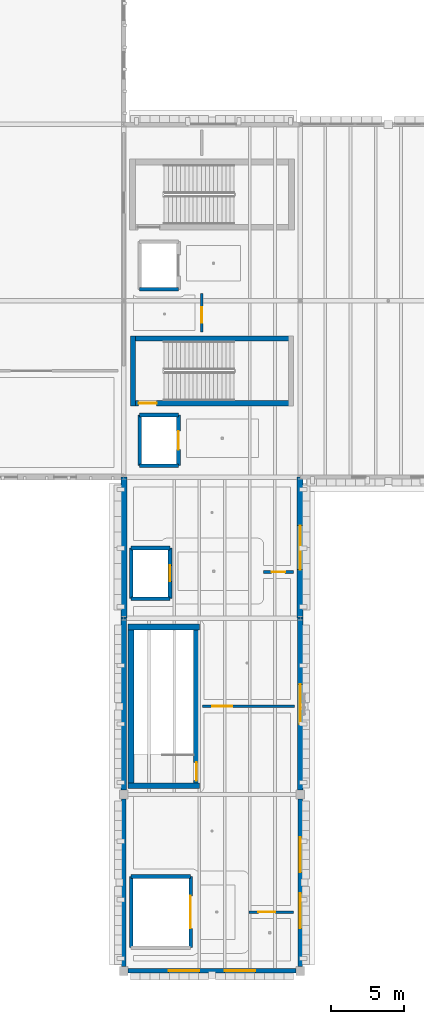
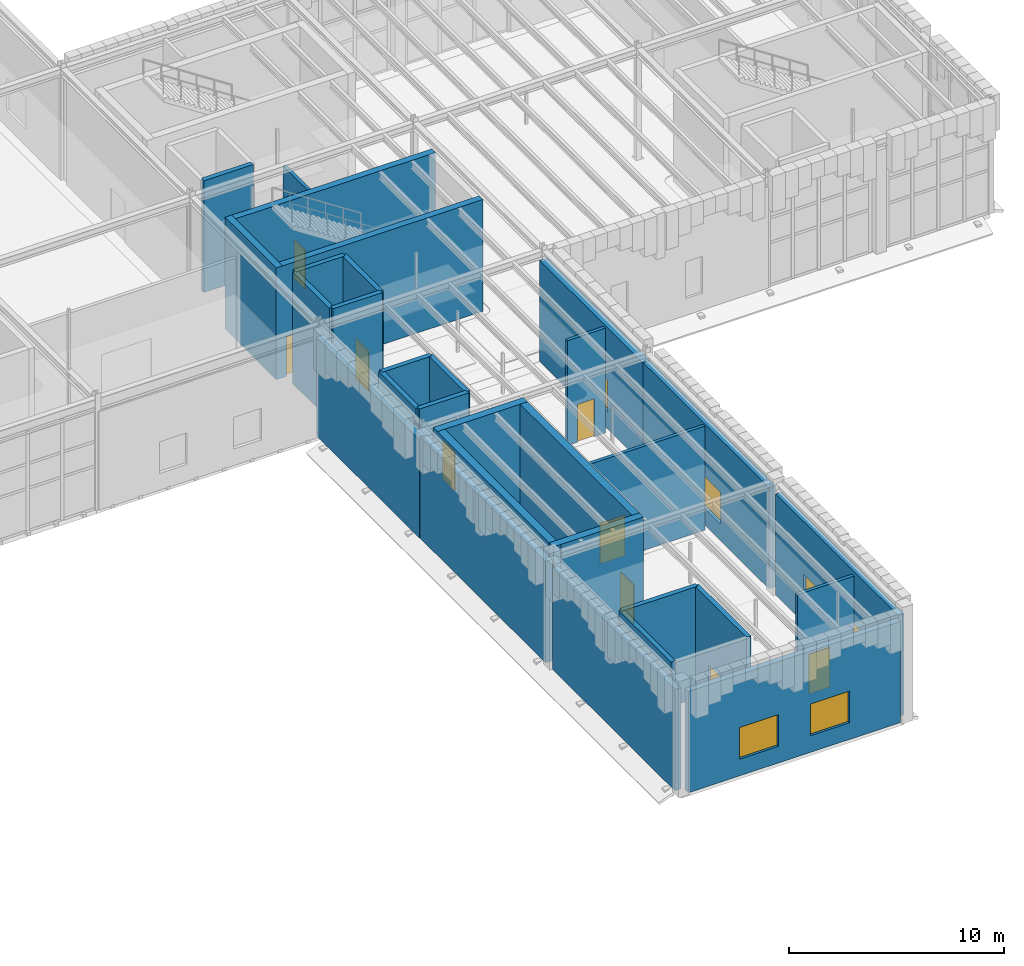
# One storey, part 41 of 62: 30 walls, 9 doors, 6 windows, 15 openings.
"""IFC4 building model written with IfcOpenShell, lengths in metres."""

from ifc_helpers import new_model, si_unit, direction, frame, frame_2d, origin, place, context, subcontext, project, spatial, rectangle, extrude, material, layer, layer_set, type_object, element, fill, save


model = new_model("IFC4")

# Units and contexts
model_context = context("Model", 3, precision=1e-05, world=origin(), true_north=direction((0.0, 1.0)))
body_context = subcontext(model_context, "Body", "Model", "MODEL_VIEW")
ifc_project = project(units=[si_unit("LENGTHUNIT", "METRE"), si_unit("AREAUNIT", "SQUARE_METRE"), si_unit("VOLUMEUNIT", "CUBIC_METRE"), si_unit("PLANEANGLEUNIT", "RADIAN"), si_unit("MASSUNIT", "GRAM", prefix="KILO")], contexts=[model_context])

# Site, building, storey
site_placement = place(None, origin())
site = spatial("IfcSite", under=ifc_project, at=site_placement, CompositionType="ELEMENT")
building_placement = place(site_placement, origin())
building = spatial("IfcBuilding", under=site, at=building_placement, Name="Zlatogorsky Bluff Art Gallery", CompositionType="ELEMENT")
storey_placement = place(building_placement, frame((0.0, 0.0, 16.800048828125)))
storey = spatial("IfcBuildingStorey", under=building, at=storey_placement, Name="L03", CompositionType="ELEMENT", Elevation=16.800048828125)

# Wall
ifc_material_1 = material(Name="Precast concrete C40/50", Category="concrete")
ifc_layer_1 = layer(ifc_material_1, 0.360107421875)
ifc_layer_set_1 = layer_set([ifc_layer_1], Name="Exterior Wall EW-01 360mm")
wall_type_1 = type_object("IfcWallType", Name="Exterior Wall EW-01 360mm", PredefinedType="SOLIDWALL", material=ifc_layer_set_1)
wall_1_placement = place(storey_placement, frame((120.0, 74.39990234375, 0.0), z_axis=(0.0, 0.0, 1.0), x_axis=(0.0, -1.0, 0.0)))
element("IfcWall", 1, at=wall_1_placement, inside=storey, type_object=wall_type_1, Name="Exterior wall EW-01 L03 W 10.6", PredefinedType="SOLIDWALL", context=body_context, shape_type="SweptSolid", body=[
    extrude(rectangle(XDim=11.704833984375, YDim=0.360107421875, at=frame_2d((5.8525390625, 0.0))), origin(), (0.0, 0.0, 1.0), 5.75),
])

# Wall, opening, window
wall_2_placement = place(storey_placement, frame((132.0, 62.695068359375, 0.0), z_axis=(0.0, 0.0, 1.0), x_axis=(0.0, 1.0, 0.0)))
wall_2 = element("IfcWall", 2, at=wall_2_placement, inside=storey, type_object=wall_type_1, Name="Exterior wall EW-01 L03 E 10.6", PredefinedType="SOLIDWALL", context=body_context, shape_type="SweptSolid", body=[
    extrude(rectangle(XDim=11.704833984375, YDim=0.360107421875, at=frame_2d((5.8525390625, 0.0))), origin(), (0.0, 0.0, 1.0), 5.75),
])
opening_1_placement = place(wall_2_placement, frame((4.5029296875, 0.0, 0.949951171875)))
opening_1 = element("IfcOpeningElement", 3, at=opening_1_placement, cuts=wall_2, Name="Opening WN-22", PredefinedType="OPENING", context=body_context, shape_type="SweptSolid", body=[
    extrude(rectangle(XDim=2.699951171875, YDim=1.800048828125, at=frame_2d((1.35009765625, 0.89990234375))), frame((0.0, 0.18994140625, 0.0), z_axis=(0.0, -1.0, 0.0), x_axis=(1.0, 0.0, 0.0)), (0.0, 0.0, 1.0), 0.380126953125),
])
ifc_material_2 = material(Name="Bronze-Anodised Aluminium Triple Glazing", Category="aluminium")
window_type_1 = type_object("IfcWindowType", Name="Pointed-Reveal Window WN-22 2700x1800", PartitioningType="SINGLE_PANEL", PredefinedType="WINDOW", material=ifc_material_2)
window_1_placement = place(opening_1_placement, origin())
window_1 = element("IfcWindow", 4, at=window_1_placement, inside=storey, type_object=window_type_1, Name="Window WN-22 L03.E.10.6.1", OverallHeight=1.800048828125, OverallWidth=2.699951171875, PartitioningType="SINGLE_PANEL", PredefinedType="WINDOW", context=body_context, shape_type="SweptSolid", body=[
    extrude(rectangle(XDim=2.699951171875, YDim=1.800048828125, at=frame_2d((1.35009765625, 0.89990234375))), frame((0.0, 0.030029296875, 0.0), z_axis=(0.0, -1.0, 0.0), x_axis=(1.0, 0.0, 0.0)), (0.0, 0.0, 1.0), 0.06005859375),
])
fill(opening_1, window_1)

# Wall
ifc_layer_2 = layer(ifc_material_1, 0.39990234375)
ifc_layer_set_2 = layer_set([ifc_layer_2], Name="Exterior Wall EW-02 400mm")
wall_type_2 = type_object("IfcWallType", Name="Exterior Wall EW-02 400mm", PredefinedType="SOLIDWALL", material=ifc_layer_set_2)
wall_3_placement = place(storey_placement, frame((120.0, 84.0, 0.0), z_axis=(0.0, 0.0, 1.0), x_axis=(0.0, -1.0, 0.0)))
element("IfcWall", 5, at=wall_3_placement, inside=storey, type_object=wall_type_2, Name="Exterior wall EW-02 L03 W 10.7", PredefinedType="SOLIDWALL", context=body_context, shape_type="SweptSolid", body=[
    extrude(rectangle(XDim=9.60009765625, YDim=0.39990234375, at=frame_2d((4.800048828125, 0.0))), origin(), (0.0, 0.0, 1.0), 5.599853515625),
])

# Wall, opening, window
wall_4_placement = place(storey_placement, frame((132.0, 74.39990234375, 0.0), z_axis=(0.0, 0.0, 1.0), x_axis=(0.0, 1.0, 0.0)))
wall_4 = element("IfcWall", 6, at=wall_4_placement, inside=storey, type_object=wall_type_2, Name="Exterior wall EW-02 L03 E 10.7", PredefinedType="SOLIDWALL", context=body_context, shape_type="SweptSolid", body=[
    extrude(rectangle(XDim=9.60009765625, YDim=0.39990234375, at=frame_2d((4.800048828125, 0.0))), origin(), (0.0, 0.0, 1.0), 5.75),
])
opening_2_placement = place(wall_4_placement, frame((3.300048828125, 0.0, 0.949951171875)))
opening_2 = element("IfcOpeningElement", 7, at=opening_2_placement, cuts=wall_4, Name="Opening WN-23", PredefinedType="OPENING", context=body_context, shape_type="SweptSolid", body=[
    extrude(rectangle(XDim=3.0, YDim=1.800048828125, at=frame_2d((1.5, 0.89990234375))), frame((0.0, 0.2099609375, 0.0), z_axis=(0.0, -1.0, 0.0), x_axis=(1.0, 0.0, 0.0)), (0.0, 0.0, 1.0), 0.419921875),
])
window_type_2 = type_object("IfcWindowType", Name="Pointed-Reveal Window WN-23 3000x1800", PartitioningType="SINGLE_PANEL", PredefinedType="WINDOW", material=ifc_material_2)
window_2_placement = place(opening_2_placement, origin())
window_2 = element("IfcWindow", 8, at=window_2_placement, inside=storey, type_object=window_type_2, Name="Window WN-23 L03.E.10.7.1", OverallHeight=1.800048828125, OverallWidth=3.0, PartitioningType="SINGLE_PANEL", PredefinedType="WINDOW", context=body_context, shape_type="SweptSolid", body=[
    extrude(rectangle(XDim=3.0, YDim=1.800048828125, at=frame_2d((1.5, 0.89990234375))), frame((0.0, 0.030029296875, 0.0), z_axis=(0.0, -1.0, 0.0), x_axis=(1.0, 0.0, 0.0)), (0.0, 0.0, 1.0), 0.06005859375),
])
fill(opening_2, window_2)

# Wall, openings, windows
ifc_layer_3 = layer(ifc_material_1, 0.320068359375)
ifc_layer_set_3 = layer_set([ifc_layer_3], Name="Exterior Wall EW-04 320mm")
wall_type_3 = type_object("IfcWallType", Name="Exterior Wall EW-04 320mm", PredefinedType="SOLIDWALL", material=ifc_layer_set_3)
wall_5_placement = place(storey_placement, frame((120.294921875, 50.39990234375, 0.0), z_axis=(0.0, 0.0, 1.0), x_axis=(1.0, 0.0, 0.0)))
wall_5 = element("IfcWall", 9, at=wall_5_placement, inside=storey, type_object=wall_type_3, Name="Exterior wall EW-04 L03 S 10.5", PredefinedType="SOLIDWALL", context=body_context, shape_type="SweptSolid", body=[
    extrude(rectangle(XDim=11.41015625, YDim=0.320068359375, at=frame_2d((5.705078125, 0.0))), origin(), (0.0, 0.0, 1.0), 5.75),
])
opening_3_placement = place(wall_5_placement, frame((2.7529296875, 0.0, 0.949951171875)))
opening_3 = element("IfcOpeningElement", 10, at=opening_3_placement, cuts=wall_5, Name="Opening WN-20", PredefinedType="OPENING", context=body_context, shape_type="SweptSolid", body=[
    extrude(rectangle(XDim=2.10009765625, YDim=1.800048828125, at=frame_2d((1.050048828125, 0.89990234375))), frame((0.0, 0.169921875, 0.0), z_axis=(0.0, -1.0, 0.0), x_axis=(1.0, 0.0, 0.0)), (0.0, 0.0, 1.0), 0.340087890625),
])
opening_4_placement = place(wall_5_placement, frame((6.556884765625, 0.0, 0.949951171875)))
opening_4 = element("IfcOpeningElement", 11, at=opening_4_placement, cuts=wall_5, Name="Opening WN-20", PredefinedType="OPENING", context=body_context, shape_type="SweptSolid", body=[
    extrude(rectangle(XDim=2.10009765625, YDim=1.800048828125, at=frame_2d((1.050048828125, 0.89990234375))), frame((0.0, 0.169921875, 0.0), z_axis=(0.0, -1.0, 0.0), x_axis=(1.0, 0.0, 0.0)), (0.0, 0.0, 1.0), 0.340087890625),
])
window_type_3 = type_object("IfcWindowType", Name="Pointed-Reveal Window WN-20 2100x1800", PartitioningType="SINGLE_PANEL", PredefinedType="WINDOW", material=ifc_material_2)
window_3_placement = place(opening_3_placement, origin())
window_3 = element("IfcWindow", 12, at=window_3_placement, inside=storey, type_object=window_type_3, Name="Window WN-20 L03.S.10.5.1", OverallHeight=1.800048828125, OverallWidth=2.10009765625, PartitioningType="SINGLE_PANEL", PredefinedType="WINDOW", context=body_context, shape_type="SweptSolid", body=[
    extrude(rectangle(XDim=2.10009765625, YDim=1.800048828125, at=frame_2d((1.050048828125, 0.89990234375))), frame((0.0, 0.030029296875, 0.0), z_axis=(0.0, -1.0, 0.0), x_axis=(1.0, 0.0, 0.0)), (0.0, 0.0, 1.0), 0.06005859375),
])
fill(opening_3, window_3)
window_4_placement = place(opening_4_placement, origin())
window_4 = element("IfcWindow", 13, at=window_4_placement, inside=storey, type_object=window_type_3, Name="Window WN-20 L03.S.10.5.2", OverallHeight=1.800048828125, OverallWidth=2.10009765625, PartitioningType="SINGLE_PANEL", PredefinedType="WINDOW", context=body_context, shape_type="SweptSolid", body=[
    extrude(rectangle(XDim=2.10009765625, YDim=1.800048828125, at=frame_2d((1.050048828125, 0.89990234375))), frame((0.0, 0.030029296875, 0.0), z_axis=(0.0, -1.0, 0.0), x_axis=(1.0, 0.0, 0.0)), (0.0, 0.0, 1.0), 0.06005859375),
])
fill(opening_4, window_4)

# Wall
wall_6_placement = place(storey_placement, frame((120.0, 62.10498046875, 0.0), z_axis=(0.0, 0.0, 1.0), x_axis=(0.0, -1.0, 0.0)))
element("IfcWall", 14, at=wall_6_placement, inside=storey, type_object=wall_type_3, Name="Exterior wall EW-04 L03 W 10.5", PredefinedType="SOLIDWALL", context=body_context, shape_type="SweptSolid", body=[
    extrude(rectangle(XDim=11.409912109375, YDim=0.320068359375, at=frame_2d((5.705078125, 0.0))), origin(), (0.0, 0.0, 1.0), 5.75),
])

# Wall, openings, windows
wall_7_placement = place(storey_placement, frame((132.0, 50.695068359375, 0.0), z_axis=(0.0, 0.0, 1.0), x_axis=(0.0, 1.0, 0.0)))
wall_7 = element("IfcWall", 15, at=wall_7_placement, inside=storey, type_object=wall_type_3, Name="Exterior wall EW-04 L03 E 10.5", PredefinedType="SOLIDWALL", context=body_context, shape_type="SweptSolid", body=[
    extrude(rectangle(XDim=11.409912109375, YDim=0.320068359375, at=frame_2d((5.705078125, 0.0))), origin(), (0.0, 0.0, 1.0), 5.75),
])
opening_5_placement = place(wall_7_placement, frame((2.60302734375, 0.0, 0.949951171875)))
opening_5 = element("IfcOpeningElement", 16, at=opening_5_placement, cuts=wall_7, Name="Opening WN-21", PredefinedType="OPENING", context=body_context, shape_type="SweptSolid", body=[
    extrude(rectangle(XDim=2.39990234375, YDim=1.800048828125, at=frame_2d((1.199951171875, 0.89990234375))), frame((0.0, 0.169921875, 0.0), z_axis=(0.0, -1.0, 0.0), x_axis=(1.0, 0.0, 0.0)), (0.0, 0.0, 1.0), 0.340087890625),
])
opening_6_placement = place(wall_7_placement, frame((6.406982421875, 0.0, 0.949951171875)))
opening_6 = element("IfcOpeningElement", 17, at=opening_6_placement, cuts=wall_7, Name="Opening WN-21", PredefinedType="OPENING", context=body_context, shape_type="SweptSolid", body=[
    extrude(rectangle(XDim=2.39990234375, YDim=1.800048828125, at=frame_2d((1.199951171875, 0.89990234375))), frame((0.0, 0.169921875, 0.0), z_axis=(0.0, -1.0, 0.0), x_axis=(1.0, 0.0, 0.0)), (0.0, 0.0, 1.0), 0.340087890625),
])
window_type_4 = type_object("IfcWindowType", Name="Pointed-Reveal Window WN-21 2400x1800", PartitioningType="SINGLE_PANEL", PredefinedType="WINDOW", material=ifc_material_2)
window_5_placement = place(opening_5_placement, origin())
window_5 = element("IfcWindow", 18, at=window_5_placement, inside=storey, type_object=window_type_4, Name="Window WN-21 L03.E.10.5.1", OverallHeight=1.800048828125, OverallWidth=2.39990234375, PartitioningType="SINGLE_PANEL", PredefinedType="WINDOW", context=body_context, shape_type="SweptSolid", body=[
    extrude(rectangle(XDim=2.39990234375, YDim=1.800048828125, at=frame_2d((1.199951171875, 0.89990234375))), frame((0.0, 0.030029296875, 0.0), z_axis=(0.0, -1.0, 0.0), x_axis=(1.0, 0.0, 0.0)), (0.0, 0.0, 1.0), 0.06005859375),
])
fill(opening_5, window_5)
window_6_placement = place(opening_6_placement, origin())
window_6 = element("IfcWindow", 19, at=window_6_placement, inside=storey, type_object=window_type_4, Name="Window WN-21 L03.E.10.5.2", OverallHeight=1.800048828125, OverallWidth=2.39990234375, PartitioningType="SINGLE_PANEL", PredefinedType="WINDOW", context=body_context, shape_type="SweptSolid", body=[
    extrude(rectangle(XDim=2.39990234375, YDim=1.800048828125, at=frame_2d((1.199951171875, 0.89990234375))), frame((0.0, 0.030029296875, 0.0), z_axis=(0.0, -1.0, 0.0), x_axis=(1.0, 0.0, 0.0)), (0.0, 0.0, 1.0), 0.06005859375),
])
fill(opening_6, window_6)

# Wall, opening, door
ifc_material_3 = material(Name="Concrete C30/37", Category="concrete")
ifc_layer_4 = layer(ifc_material_3, 0.179931640625)
ifc_layer_set_4 = layer_set([ifc_layer_4], Name="Interior Wall IW-02 180mm")
wall_type_4 = type_object("IfcWallType", Name="Interior Wall IW-02 180mm", PredefinedType="PARTITIONING", material=ifc_layer_set_4)
wall_8_placement = place(storey_placement, frame((128.510009765625, 54.39990234375, 0.0), z_axis=(0.0, 0.0, 1.0), x_axis=(1.0, 0.0, 0.0)))
wall_8 = element("IfcWall", 20, at=wall_8_placement, inside=storey, type_object=wall_type_4, Name="Partition IW-02 between L03-RD-11 and L03-RD-12", PredefinedType="PARTITIONING", context=body_context, shape_type="SweptSolid", body=[
    extrude(rectangle(XDim=3.0400390625, YDim=0.179931640625, at=frame_2d((1.52001953125, 0.0))), origin(), (0.0, 0.0, 1.0), 5.909912109375),
])
opening_7_placement = place(wall_8_placement, frame((0.64990234375, 0.0, 0.0)))
opening_7 = element("IfcOpeningElement", 21, at=opening_7_placement, cuts=wall_8, Name="Opening ID-06", PredefinedType="OPENING", context=body_context, shape_type="SweptSolid", body=[
    extrude(rectangle(XDim=1.14990234375, YDim=2.25, at=frame_2d((0.574951171875, 1.125))), frame((0.0, 0.099853515625, 0.0), z_axis=(0.0, -1.0, 0.0), x_axis=(1.0, 0.0, 0.0)), (0.0, 0.0, 1.0), 0.199951171875),
])
ifc_material_4 = material(Name="Anodised Aluminium and Laminated Timber", Category="wood")
door_type_1 = type_object("IfcDoorType", Name="Interior Door ID-06 1150x2250", OperationType="SINGLE_SWING_LEFT", PredefinedType="DOOR", material=ifc_material_4)
door_1_placement = place(opening_7_placement, origin())
door_1 = element("IfcDoor", 22, at=door_1_placement, inside=storey, type_object=door_type_1, Name="Door ID-06 L03-RD-11-L03-RD-12", OperationType="SINGLE_SWING_RIGHT", OverallHeight=2.25, OverallWidth=1.14990234375, PredefinedType="DOOR", context=body_context, shape_type="SweptSolid", body=[
    extrude(rectangle(XDim=1.14990234375, YDim=2.25, at=frame_2d((0.574951171875, 1.125))), frame((0.0, 0.02490234375, 0.0), z_axis=(0.0, -1.0, 0.0), x_axis=(1.0, 0.0, 0.0)), (0.0, 0.0, 1.0), 0.050048828125),
])
fill(opening_7, door_1)

wall_9_placement = place(storey_placement, frame((125.3701171875, 68.39990234375, 0.0), z_axis=(0.0, 0.0, 1.0), x_axis=(1.0, 0.0, 0.0)))
wall_9 = element("IfcWall", 23, at=wall_9_placement, inside=storey, type_object=wall_type_4, Name="Partition IW-02 between L03-RD-12 and L03-RD-13", PredefinedType="PARTITIONING", context=body_context, shape_type="SweptSolid", body=[
    extrude(rectangle(XDim=6.25, YDim=0.179931640625, at=frame_2d((3.125, 0.0))), origin(), (0.0, 0.0, 1.0), 5.909912109375),
])
opening_8_placement = place(wall_9_placement, frame((0.64990234375, 0.0, 0.0)))
opening_8 = element("IfcOpeningElement", 24, at=opening_8_placement, cuts=wall_9, Name="Opening ID-08", PredefinedType="OPENING", context=body_context, shape_type="SweptSolid", body=[
    extrude(rectangle(XDim=1.35009765625, YDim=2.300048828125, at=frame_2d((0.675048828125, 1.14990234375))), frame((0.0, 0.099853515625, 0.0), z_axis=(0.0, -1.0, 0.0), x_axis=(1.0, 0.0, 0.0)), (0.0, 0.0, 1.0), 0.199951171875),
])
door_type_2 = type_object("IfcDoorType", Name="Interior Door ID-08 1350x2300", OperationType="DOUBLE_SWING_LEFT", PredefinedType="DOOR", material=ifc_material_4)
door_2_placement = place(opening_8_placement, origin())
door_2 = element("IfcDoor", 25, at=door_2_placement, inside=storey, type_object=door_type_2, Name="Door ID-08 L03-RD-12-L03-RD-13", OperationType="DOUBLE_SWING_LEFT", OverallHeight=2.300048828125, OverallWidth=1.35009765625, PredefinedType="DOOR", context=body_context, shape_type="SweptSolid", body=[
    extrude(rectangle(XDim=1.35009765625, YDim=2.300048828125, at=frame_2d((0.675048828125, 1.14990234375))), frame((0.0, 0.02490234375, 0.0), z_axis=(0.0, -1.0, 0.0), x_axis=(1.0, 0.0, 0.0)), (0.0, 0.0, 1.0), 0.050048828125),
])
fill(opening_8, door_2)

wall_10_placement = place(storey_placement, frame((129.510009765625, 77.544921875, 0.0), z_axis=(0.0, 0.0, 1.0), x_axis=(1.0, 0.0, 0.0)))
wall_10 = element("IfcWall", 26, at=wall_10_placement, inside=storey, type_object=wall_type_4, Name="Partition IW-02 between L03-RD-13 and L03-RD-14", PredefinedType="PARTITIONING", context=body_context, shape_type="SweptSolid", body=[
    extrude(rectangle(XDim=2.0400390625, YDim=0.179931640625, at=frame_2d((1.02001953125, 0.0))), origin(), (0.0, 0.0, 1.0), 5.949951171875),
])
opening_9_placement = place(wall_10_placement, frame((0.5400390625, 0.0, 0.0)))
opening_9 = element("IfcOpeningElement", 27, at=opening_9_placement, cuts=wall_10, Name="Opening ID-01", PredefinedType="OPENING", context=body_context, shape_type="SweptSolid", body=[
    extrude(rectangle(XDim=0.919921875, YDim=2.14990234375, at=frame_2d((0.4599609375, 1.074951171875))), frame((0.0, 0.099853515625, 0.0), z_axis=(0.0, -1.0, 0.0), x_axis=(1.0, 0.0, 0.0)), (0.0, 0.0, 1.0), 0.199951171875),
])
door_type_3 = type_object("IfcDoorType", Name="Interior Door ID-01 920x2150", OperationType="SINGLE_SWING_LEFT", PredefinedType="DOOR", material=ifc_material_4)
door_3_placement = place(opening_9_placement, origin())
door_3 = element("IfcDoor", 28, at=door_3_placement, inside=storey, type_object=door_type_3, Name="Door ID-01 L03-RD-13-L03-RD-14", OperationType="SINGLE_SWING_LEFT", OverallHeight=2.14990234375, OverallWidth=0.919921875, PredefinedType="DOOR", context=body_context, shape_type="SweptSolid", body=[
    extrude(rectangle(XDim=0.919921875, YDim=2.14990234375, at=frame_2d((0.4599609375, 1.074951171875))), frame((0.0, 0.02490234375, 0.0), z_axis=(0.0, -1.0, 0.0), x_axis=(1.0, 0.0, 0.0)), (0.0, 0.0, 1.0), 0.050048828125),
])
fill(opening_9, door_3)

wall_11_placement = place(storey_placement, frame((125.304931640625, 93.8701171875, 0.0), z_axis=(0.0, 0.0, 1.0), x_axis=(0.0, 1.0, 0.0)))
wall_11 = element("IfcWall", 29, at=wall_11_placement, inside=storey, type_object=wall_type_4, Name="Partition IW-02 between L03-CU-11 and L03-CU-12-S1", PredefinedType="PARTITIONING", context=body_context, shape_type="SweptSolid", body=[
    extrude(rectangle(XDim=2.60986328125, YDim=0.179931640625, at=frame_2d((1.304931640625, 0.0))), origin(), (0.0, 0.0, 1.0), 5.869873046875),
])
opening_10_placement = place(wall_11_placement, frame((0.64990234375, 0.0, 0.0)))
opening_10 = element("IfcOpeningElement", 30, at=opening_10_placement, cuts=wall_11, Name="Opening ID-04", PredefinedType="OPENING", context=body_context, shape_type="SweptSolid", body=[
    extrude(rectangle(XDim=1.050048828125, YDim=2.199951171875, at=frame_2d((0.52490234375, 1.10009765625))), frame((0.0, 0.099853515625, 0.0), z_axis=(0.0, -1.0, 0.0), x_axis=(1.0, 0.0, 0.0)), (0.0, 0.0, 1.0), 0.199951171875),
])
door_type_4 = type_object("IfcDoorType", Name="Interior Door ID-04 1050x2200", OperationType="SINGLE_SWING_LEFT", PredefinedType="DOOR", material=ifc_material_4)
door_4_placement = place(opening_10_placement, origin())
door_4 = element("IfcDoor", 31, at=door_4_placement, inside=storey, type_object=door_type_4, Name="Door ID-04 L03-CU-11-L03-CU-12-S1", OperationType="SINGLE_SWING_RIGHT", OverallHeight=2.199951171875, OverallWidth=1.050048828125, PredefinedType="DOOR", context=body_context, shape_type="SweptSolid", body=[
    extrude(rectangle(XDim=1.050048828125, YDim=2.199951171875, at=frame_2d((0.52490234375, 1.10009765625))), frame((0.0, 0.02490234375, 0.0), z_axis=(0.0, -1.0, 0.0), x_axis=(1.0, 0.0, 0.0)), (0.0, 0.0, 1.0), 0.050048828125),
])
fill(opening_10, door_4)

# Wall
ifc_material_5 = material(Name="Concrete C35/45", Category="concrete")
ifc_layer_5 = layer(ifc_material_5, 0.25)
ifc_layer_set_5 = layer_set([ifc_layer_5], Name="Interior Wall IW-05 250mm")
wall_type_5 = type_object("IfcWallType", Name="Interior Wall IW-05 250mm", PredefinedType="SOLIDWALL", material=ifc_layer_set_5)
wall_12_placement = place(storey_placement, frame((120.4951171875, 75.72509765625, 0.0), z_axis=(0.0, 0.0, 1.0), x_axis=(1.0, 0.0, 0.0)))
element("IfcWall", 32, at=wall_12_placement, inside=storey, type_object=wall_type_5, Name="Lift FL-1 shaft wall L03 S", PredefinedType="SOLIDWALL", context=body_context, shape_type="SweptSolid", body=[
    extrude(rectangle(XDim=2.64990234375, YDim=0.25, at=frame_2d((1.324951171875, 0.0))), origin(), (0.0, 0.0, 1.0), 6.349853515625),
])

# Wall, opening, door
wall_13_placement = place(storey_placement, frame((123.14501953125, 75.72509765625, 0.0), z_axis=(0.0, 0.0, 1.0), x_axis=(0.0, 1.0, 0.0)))
wall_13 = element("IfcWall", 33, at=wall_13_placement, inside=storey, type_object=wall_type_5, Name="Lift FL-1 shaft wall L03 E", PredefinedType="SOLIDWALL", context=body_context, shape_type="SweptSolid", body=[
    extrude(rectangle(XDim=3.449951171875, YDim=0.25, at=frame_2d((1.72509765625, 0.0))), origin(), (0.0, 0.0, 1.0), 6.349853515625),
])
opening_11_placement = place(wall_13_placement, frame((1.175048828125, 0.0, 0.0)))
opening_11 = element("IfcOpeningElement", 34, at=opening_11_placement, cuts=wall_13, Name="Opening LD-01", PredefinedType="OPENING", context=body_context, shape_type="SweptSolid", body=[
    extrude(rectangle(XDim=1.10009765625, YDim=2.199951171875, at=frame_2d((0.550048828125, 1.10009765625))), frame((0.0, 0.135009765625, 0.0), z_axis=(0.0, -1.0, 0.0), x_axis=(1.0, 0.0, 0.0)), (0.0, 0.0, 1.0), 0.27001953125),
])
door_type_5 = type_object("IfcDoorType", Name="Interior Door LD-01 1100x2200", OperationType="SLIDING_TO_LEFT", PredefinedType="DOOR", material=ifc_material_4)
door_5_placement = place(opening_11_placement, origin())
door_5 = element("IfcDoor", 35, at=door_5_placement, inside=storey, type_object=door_type_5, Name="Lift FL-1 sliding landing door L03", OperationType="SLIDING_TO_LEFT", OverallHeight=2.199951171875, OverallWidth=1.10009765625, PredefinedType="DOOR", context=body_context, shape_type="SweptSolid", body=[
    extrude(rectangle(XDim=1.10009765625, YDim=2.199951171875, at=frame_2d((0.550048828125, 1.10009765625))), frame((0.0, 0.02490234375, 0.0), z_axis=(0.0, -1.0, 0.0), x_axis=(1.0, 0.0, 0.0)), (0.0, 0.0, 1.0), 0.050048828125),
])
fill(opening_11, door_5)

# Walls
wall_14_placement = place(storey_placement, frame((123.14501953125, 79.175048828125, 0.0), z_axis=(0.0, 0.0, 1.0), x_axis=(-1.0, 0.0, 0.0)))
element("IfcWall", 36, at=wall_14_placement, inside=storey, type_object=wall_type_5, Name="Lift FL-1 shaft wall L03 N", PredefinedType="SOLIDWALL", context=body_context, shape_type="SweptSolid", body=[
    extrude(rectangle(XDim=2.64990234375, YDim=0.25, at=frame_2d((1.324951171875, 0.0))), origin(), (0.0, 0.0, 1.0), 6.349853515625),
])
wall_15_placement = place(storey_placement, frame((120.4951171875, 79.175048828125, 0.0), z_axis=(0.0, 0.0, 1.0), x_axis=(0.0, -1.0, 0.0)))
element("IfcWall", 37, at=wall_15_placement, inside=storey, type_object=wall_type_5, Name="Lift FL-1 shaft wall L03 W", PredefinedType="SOLIDWALL", context=body_context, shape_type="SweptSolid", body=[
    extrude(rectangle(XDim=3.449951171875, YDim=0.25, at=frame_2d((1.72509765625, 0.0))), origin(), (0.0, 0.0, 1.0), 6.349853515625),
])
wall_16_placement = place(storey_placement, frame((121.074951171875, 84.77490234375, 0.0), z_axis=(0.0, 0.0, 1.0), x_axis=(1.0, 0.0, 0.0)))
element("IfcWall", 38, at=wall_16_placement, inside=storey, type_object=wall_type_5, Name="Lift FL-2 shaft wall L03 S", PredefinedType="SOLIDWALL", context=body_context, shape_type="SweptSolid", body=[
    extrude(rectangle(XDim=2.650146484375, YDim=0.25, at=frame_2d((1.3251953125, 0.0))), origin(), (0.0, 0.0, 1.0), 6.349853515625),
])

# Wall, opening, door
wall_17_placement = place(storey_placement, frame((123.72509765625, 84.77490234375, 0.0), z_axis=(0.0, 0.0, 1.0), x_axis=(0.0, 1.0, 0.0)))
wall_17 = element("IfcWall", 39, at=wall_17_placement, inside=storey, type_object=wall_type_5, Name="Lift FL-2 shaft wall L03 E", PredefinedType="SOLIDWALL", context=body_context, shape_type="SweptSolid", body=[
    extrude(rectangle(XDim=3.4501953125, YDim=0.25, at=frame_2d((1.72509765625, 0.0))), origin(), (0.0, 0.0, 1.0), 6.349853515625),
])
opening_12_placement = place(wall_17_placement, frame((1.10009765625, 0.0, 0.0)))
opening_12 = element("IfcOpeningElement", 40, at=opening_12_placement, cuts=wall_17, Name="Opening LD-02", PredefinedType="OPENING", context=body_context, shape_type="SweptSolid", body=[
    extrude(rectangle(XDim=1.25, YDim=2.25, at=frame_2d((0.625, 1.125))), frame((0.0, 0.135009765625, 0.0), z_axis=(0.0, -1.0, 0.0), x_axis=(1.0, 0.0, 0.0)), (0.0, 0.0, 1.0), 0.27001953125),
])
door_type_6 = type_object("IfcDoorType", Name="Interior Door LD-02 1250x2250", OperationType="SLIDING_TO_LEFT", PredefinedType="DOOR", material=ifc_material_4)
door_6_placement = place(opening_12_placement, origin())
door_6 = element("IfcDoor", 41, at=door_6_placement, inside=storey, type_object=door_type_6, Name="Lift FL-2 sliding landing door L03", OperationType="SLIDING_TO_LEFT", OverallHeight=2.25, OverallWidth=1.25, PredefinedType="DOOR", context=body_context, shape_type="SweptSolid", body=[
    extrude(rectangle(XDim=1.25, YDim=2.25, at=frame_2d((0.625, 1.125))), frame((0.0, 0.02490234375, 0.0), z_axis=(0.0, -1.0, 0.0), x_axis=(1.0, 0.0, 0.0)), (0.0, 0.0, 1.0), 0.050048828125),
])
fill(opening_12, door_6)

# Walls
wall_18_placement = place(storey_placement, frame((123.72509765625, 88.22509765625, 0.0), z_axis=(0.0, 0.0, 1.0), x_axis=(-1.0, 0.0, 0.0)))
element("IfcWall", 42, at=wall_18_placement, inside=storey, type_object=wall_type_5, Name="Lift FL-2 shaft wall L03 N", PredefinedType="SOLIDWALL", context=body_context, shape_type="SweptSolid", body=[
    extrude(rectangle(XDim=2.650146484375, YDim=0.25, at=frame_2d((1.3251953125, 0.0))), origin(), (0.0, 0.0, 1.0), 6.349853515625),
])
wall_19_placement = place(storey_placement, frame((121.074951171875, 88.22509765625, 0.0), z_axis=(0.0, 0.0, 1.0), x_axis=(0.0, -1.0, 0.0)))
element("IfcWall", 43, at=wall_19_placement, inside=storey, type_object=wall_type_5, Name="Lift FL-2 shaft wall L03 W", PredefinedType="SOLIDWALL", context=body_context, shape_type="SweptSolid", body=[
    extrude(rectangle(XDim=3.4501953125, YDim=0.25, at=frame_2d((1.72509765625, 0.0))), origin(), (0.0, 0.0, 1.0), 6.349853515625),
])
wall_20_placement = place(storey_placement, frame((121.074951171875, 96.77490234375, 0.0), z_axis=(0.0, 0.0, 1.0), x_axis=(1.0, 0.0, 0.0)))
element("IfcWall", 44, at=wall_20_placement, inside=storey, type_object=wall_type_5, Name="Lift PL-1 shaft wall L03 S", PredefinedType="SOLIDWALL", context=body_context, shape_type="SweptSolid", body=[
    extrude(rectangle(XDim=2.650146484375, YDim=0.25, at=frame_2d((1.3251953125, 0.0))), origin(), (0.0, 0.0, 1.0), 6.349853515625),
])

# Wall, opening, door
wall_21_placement = place(storey_placement, frame((124.544921875, 51.97509765625, 0.0), z_axis=(0.0, 0.0, 1.0), x_axis=(0.0, 1.0, 0.0)))
wall_21 = element("IfcWall", 45, at=wall_21_placement, inside=storey, type_object=wall_type_5, Name="Lift GL-1 shaft wall L03 E", PredefinedType="SOLIDWALL", context=body_context, shape_type="SweptSolid", body=[
    extrude(rectangle(XDim=4.849853515625, YDim=0.25, at=frame_2d((2.4248046875, 0.0))), origin(), (0.0, 0.0, 1.0), 6.33984375),
])
opening_13_placement = place(wall_21_placement, frame((1.324951171875, 0.0, 0.0)))
opening_13 = element("IfcOpeningElement", 46, at=opening_13_placement, cuts=wall_21, Name="Opening LD-04", PredefinedType="OPENING", context=body_context, shape_type="SweptSolid", body=[
    extrude(rectangle(XDim=2.199951171875, YDim=2.64990234375, at=frame_2d((1.10009765625, 1.324951171875))), frame((0.0, 0.135009765625, 0.0), z_axis=(0.0, -1.0, 0.0), x_axis=(1.0, 0.0, 0.0)), (0.0, 0.0, 1.0), 0.27001953125),
])
door_type_7 = type_object("IfcDoorType", Name="Interior Door LD-04 2200x2650", OperationType="DOUBLE_DOOR_SLIDING", PredefinedType="DOOR", material=ifc_material_4)
door_7_placement = place(opening_13_placement, origin())
door_7 = element("IfcDoor", 47, at=door_7_placement, inside=storey, type_object=door_type_7, Name="Lift GL-1 sliding landing door L03", OperationType="DOUBLE_DOOR_SLIDING", OverallHeight=2.64990234375, OverallWidth=2.199951171875, PredefinedType="DOOR", context=body_context, shape_type="SweptSolid", body=[
    extrude(rectangle(XDim=2.199951171875, YDim=2.64990234375, at=frame_2d((1.10009765625, 1.324951171875))), frame((0.0, 0.02490234375, 0.0), z_axis=(0.0, -1.0, 0.0), x_axis=(1.0, 0.0, 0.0)), (0.0, 0.0, 1.0), 0.050048828125),
])
fill(opening_13, door_7)

# Walls
wall_22_placement = place(storey_placement, frame((124.544921875, 56.824951171875, 0.0), z_axis=(0.0, 0.0, 1.0), x_axis=(-1.0, 0.0, 0.0)))
element("IfcWall", 48, at=wall_22_placement, inside=storey, type_object=wall_type_5, Name="Lift GL-1 shaft wall L03 N", PredefinedType="SOLIDWALL", context=body_context, shape_type="SweptSolid", body=[
    extrude(rectangle(XDim=4.0498046875, YDim=0.25, at=frame_2d((2.02490234375, 0.0))), origin(), (0.0, 0.0, 1.0), 6.33984375),
])
wall_23_placement = place(storey_placement, frame((120.4951171875, 56.824951171875, 0.0), z_axis=(0.0, 0.0, 1.0), x_axis=(0.0, -1.0, 0.0)))
element("IfcWall", 49, at=wall_23_placement, inside=storey, type_object=wall_type_5, Name="Lift GL-1 shaft wall L03 W", PredefinedType="SOLIDWALL", context=body_context, shape_type="SweptSolid", body=[
    extrude(rectangle(XDim=4.849853515625, YDim=0.25, at=frame_2d((2.4248046875, 0.0))), origin(), (0.0, 0.0, 1.0), 6.33984375),
])

# Wall, opening, door
ifc_layer_6 = layer(ifc_material_5, 0.35009765625)
ifc_layer_set_6 = layer_set([ifc_layer_6], Name="Interior Wall SW-02 350mm")
wall_type_6 = type_object("IfcWallType", Name="Interior Wall SW-02 350mm", PredefinedType="SHEAR", material=ifc_layer_set_6)
wall_24_placement = place(storey_placement, frame((120.449951171875, 89.02490234375, 0.0), z_axis=(0.0, 0.0, 1.0), x_axis=(1.0, 0.0, 0.0)))
wall_24 = element("IfcWall", 50, at=wall_24_placement, inside=storey, type_object=wall_type_6, Name="Stair ST-02 enclosure wall L03 W0", PredefinedType="SHEAR", context=body_context, shape_type="SweptSolid", body=[
    extrude(rectangle(XDim=11.10009765625, YDim=0.35009765625, at=frame_2d((5.550048828125, 0.0))), origin(), (0.0, 0.0, 1.0), 6.349853515625),
])
opening_14_placement = place(wall_24_placement, frame((0.550048828125, 0.0, 0.0)))
opening_14 = element("IfcOpeningElement", 51, at=opening_14_placement, cuts=wall_24, Name="Opening FD-02", PredefinedType="OPENING", context=body_context, shape_type="SweptSolid", body=[
    extrude(rectangle(XDim=1.239990234375, YDim=2.25, at=frame_2d((0.6201171875, 1.125))), frame((0.0, 0.18505859375, 0.0), z_axis=(0.0, -1.0, 0.0), x_axis=(1.0, 0.0, 0.0)), (0.0, 0.0, 1.0), 0.3701171875),
])
door_type_8 = type_object("IfcDoorType", Name="Interior Door FD-02 1240x2250", OperationType="SINGLE_SWING_LEFT", PredefinedType="DOOR", material=ifc_material_4)
door_8_placement = place(opening_14_placement, origin())
door_8 = element("IfcDoor", 52, at=door_8_placement, inside=storey, type_object=door_type_8, Name="Stair ST-02 fire door L03", OperationType="SINGLE_SWING_RIGHT", OverallHeight=2.25, OverallWidth=1.239990234375, PredefinedType="DOOR", context=body_context, shape_type="SweptSolid", body=[
    extrude(rectangle(XDim=1.239990234375, YDim=2.25, at=frame_2d((0.6201171875, 1.125))), frame((0.0, 0.02490234375, 0.0), z_axis=(0.0, -1.0, 0.0), x_axis=(1.0, 0.0, 0.0)), (0.0, 0.0, 1.0), 0.050048828125),
])
fill(opening_14, door_8)

# Walls
wall_25_placement = place(storey_placement, frame((131.550048828125, 93.425048828125, 0.0), z_axis=(0.0, 0.0, 1.0), x_axis=(-1.0, 0.0, 0.0)))
element("IfcWall", 53, at=wall_25_placement, inside=storey, type_object=wall_type_6, Name="Stair ST-02 enclosure wall L03 W1", PredefinedType="SHEAR", context=body_context, shape_type="SweptSolid", body=[
    extrude(rectangle(XDim=11.10009765625, YDim=0.35009765625, at=frame_2d((5.550048828125, 0.0))), origin(), (0.0, 0.0, 1.0), 6.349853515625),
])
wall_26_placement = place(storey_placement, frame((120.625, 93.60009765625, 0.0), z_axis=(0.0, 0.0, 1.0), x_axis=(0.0, -1.0, 0.0)))
element("IfcWall", 54, at=wall_26_placement, inside=storey, type_object=wall_type_6, Name="Stair ST-02 enclosure wall L03 LEND", PredefinedType="SHEAR", context=body_context, shape_type="SweptSolid", body=[
    extrude(rectangle(XDim=4.75, YDim=0.35009765625, at=frame_2d((2.375, 0.0))), origin(), (0.0, 0.0, 1.0), 6.349853515625),
])

# Wall, opening, door
ifc_layer_7 = layer(ifc_material_5, 0.39990234375)
ifc_layer_set_7 = layer_set([ifc_layer_7], Name="Interior Wall SW-03 400mm")
wall_type_7 = type_object("IfcWallType", Name="Interior Wall SW-03 400mm", PredefinedType="SHEAR", material=ifc_layer_set_7)
wall_27_placement = place(storey_placement, frame((124.949951171875, 62.800048828125, 0.0), z_axis=(0.0, 0.0, 1.0), x_axis=(0.0, 1.0, 0.0)))
wall_27 = element("IfcWall", 55, at=wall_27_placement, inside=storey, type_object=wall_type_7, Name="Stair ST-06 enclosure wall L03 W0", PredefinedType="SHEAR", context=body_context, shape_type="SweptSolid", body=[
    extrude(rectangle(XDim=11.199951171875, YDim=0.39990234375, at=frame_2d((5.60009765625, 0.0))), origin(), (0.0, 0.0, 1.0), 6.349853515625),
])
opening_15_placement = place(wall_27_placement, frame((0.550048828125, 0.0, 0.0)))
opening_15 = element("IfcOpeningElement", 56, at=opening_15_placement, cuts=wall_27, Name="Opening FD-02", PredefinedType="OPENING", context=body_context, shape_type="SweptSolid", body=[
    extrude(rectangle(XDim=1.239990234375, YDim=2.25, at=frame_2d((0.6201171875, 1.125))), frame((0.0, 0.2099609375, 0.0), z_axis=(0.0, -1.0, 0.0), x_axis=(1.0, 0.0, 0.0)), (0.0, 0.0, 1.0), 0.419921875),
])
door_9_placement = place(opening_15_placement, origin())
door_9 = element("IfcDoor", 57, at=door_9_placement, inside=storey, type_object=door_type_8, Name="Stair ST-06 fire door L03", OperationType="SINGLE_SWING_LEFT", OverallHeight=2.25, OverallWidth=1.239990234375, PredefinedType="DOOR", context=body_context, shape_type="SweptSolid", body=[
    extrude(rectangle(XDim=1.239990234375, YDim=2.25, at=frame_2d((0.6201171875, 1.125))), frame((0.0, 0.02490234375, 0.0), z_axis=(0.0, -1.0, 0.0), x_axis=(1.0, 0.0, 0.0)), (0.0, 0.0, 1.0), 0.050048828125),
])
fill(opening_15, door_9)

# Walls
wall_28_placement = place(storey_placement, frame((125.14990234375, 73.800048828125, 0.0), z_axis=(0.0, 0.0, 1.0), x_axis=(-1.0, 0.0, 0.0)))
element("IfcWall", 58, at=wall_28_placement, inside=storey, type_object=wall_type_7, Name="Stair ST-06 enclosure wall L03 FEND", PredefinedType="SHEAR", context=body_context, shape_type="SweptSolid", body=[
    extrude(rectangle(XDim=4.849853515625, YDim=0.39990234375, at=frame_2d((2.4248046875, 0.0))), origin(), (0.0, 0.0, 1.0), 6.349853515625),
])
wall_29_placement = place(storey_placement, frame((120.5, 74.0, 0.0), z_axis=(0.0, 0.0, 1.0), x_axis=(0.0, -1.0, 0.0)))
element("IfcWall", 59, at=wall_29_placement, inside=storey, type_object=wall_type_7, Name="Stair ST-06 enclosure wall L03 W1", PredefinedType="SHEAR", context=body_context, shape_type="SweptSolid", body=[
    extrude(rectangle(XDim=11.199951171875, YDim=0.39990234375, at=frame_2d((5.60009765625, 0.0))), origin(), (0.0, 0.0, 1.0), 6.349853515625),
])
wall_30_placement = place(storey_placement, frame((120.300048828125, 63.0, 0.0), z_axis=(0.0, 0.0, 1.0), x_axis=(1.0, 0.0, 0.0)))
element("IfcWall", 60, at=wall_30_placement, inside=storey, type_object=wall_type_7, Name="Stair ST-06 enclosure wall L03 LEND", PredefinedType="SHEAR", context=body_context, shape_type="SweptSolid", body=[
    extrude(rectangle(XDim=4.849853515625, YDim=0.39990234375, at=frame_2d((2.4248046875, 0.0))), origin(), (0.0, 0.0, 1.0), 6.349853515625),
])

save(model, "model.ifc")
